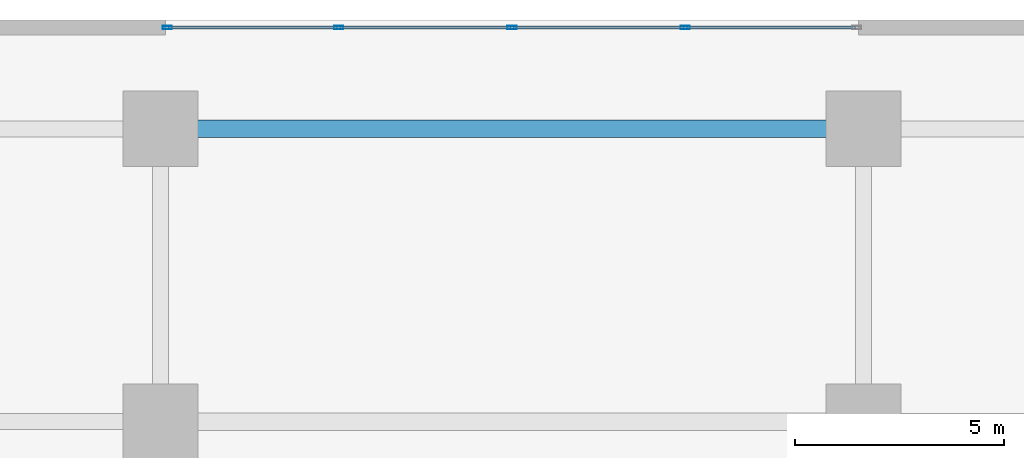
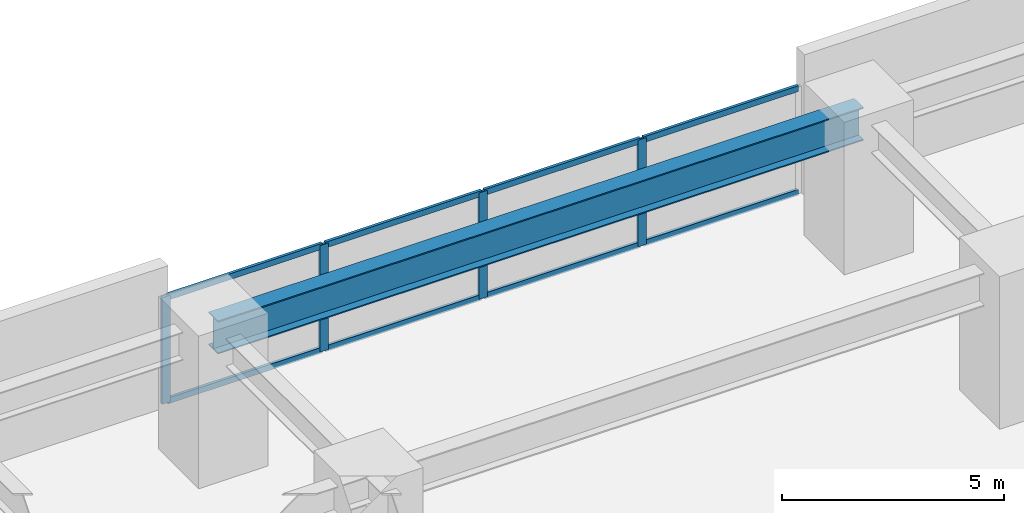
# One storey, part 7 of 22: 12 members, 1 beam, 1 element without a shape of its own.
"""IFC4 building model written with IfcOpenShell, lengths in metres."""

from ifc_helpers import new_model, si_unit, direction, frame, origin, origin_2d, place, context, subcontext, project, spatial, hollow_rectangle, i_section, extrude, material, layer, layer_set, material_profile, profile_set, type_object, element, aggregate, save


model = new_model("IFC4")

# Units and contexts
model_context = context("Model", 3, precision=1e-05, world=origin(), true_north=direction((0.0, 1.0)))
body_context = subcontext(model_context, "Body", "Model", "MODEL_VIEW")
ifc_project = project(units=[si_unit("LENGTHUNIT", "METRE"), si_unit("AREAUNIT", "SQUARE_METRE"), si_unit("VOLUMEUNIT", "CUBIC_METRE"), si_unit("PLANEANGLEUNIT", "RADIAN"), si_unit("MASSUNIT", "GRAM", prefix="KILO")], contexts=[model_context])

# Site, building, storey
site_placement = place(None, origin())
site = spatial("IfcSite", under=ifc_project, at=site_placement, CompositionType="ELEMENT")
building_placement = place(site_placement, origin())
building = spatial("IfcBuilding", under=site, at=building_placement, Name="Kiyonajd Concourse Tower", CompositionType="ELEMENT")
storey_placement = place(building_placement, frame((0.0, 0.0, 8.699951171875)))
storey = spatial("IfcBuildingStorey", under=building, at=storey_placement, Name="L03", CompositionType="ELEMENT", Elevation=8.699951171875)

# Beam
ifc_material_1 = material(Name="Steel ASTM A992 Grade 50", Category="steel")
ifc_material_profile_1 = material_profile(ifc_material_1, i_section(OverallWidth=0.41796875, OverallDepth=0.912109375, WebThickness=0.019287109375, FlangeThickness=0.031982421875, at=origin_2d()), Name="W920X342")
ifc_profile_set_1 = profile_set([ifc_material_profile_1], Name="Steel ASTM A992 Grade 50")
beam_type = type_object("IfcBeamType", Name="BM-CON-920B", PredefinedType="BEAM", material=ifc_profile_set_1)
beam_placement = place(storey_placement, frame((39.60009765625, 69.39990234375, 3.424072265625), z_axis=(1.0, 0.0, 0.0), x_axis=(0.0, 1.0, 0.0)))
element("IfcBeam", 1, at=beam_placement, inside=storey, type_object=beam_type, Name="L03 Concourse Clear Span Girder", PredefinedType="BEAM", context=body_context, shape_type="SweptSolid", body=[
    extrude(i_section(OverallWidth=0.41796875, OverallDepth=0.912109375, WebThickness=0.019287109375, FlangeThickness=0.031982421875, at=origin_2d()), origin(), (0.0, 0.0, 1.0), 16.7998046875),
])

# Curtain wall, members
ifc_material_2 = material(Name="Thermally Broken Anodised Aluminium", Category="aluminium")
ifc_layer = layer(ifc_material_2, 0.179931640625)
ifc_layer_set = layer_set([ifc_layer], Name="Thermally Broken Anodised Aluminium")
curtain_wall_type = type_object("IfcCurtainWallType", Name="CW-SYS-01", PredefinedType="NOTDEFINED", material=ifc_layer_set)
curtain_wall_placement = place(storey_placement, origin())
curtain_wall = element("IfcCurtainWall", 2, at=curtain_wall_placement, inside=storey, type_object=curtain_wall_type, Name="L03 Unitised Curtain Wall CW1", PredefinedType="NOTDEFINED")
ifc_material_profile_2 = material_profile(ifc_material_2, hollow_rectangle(XDim=0.074951171875, YDim=0.219970703125, WallThickness=0.0048828125, at=origin_2d()), Name="MULL-75x220")
ifc_profile_set_2 = profile_set([ifc_material_profile_2], Name="Thermally Broken Anodised Aluminium")
member_type_1 = type_object("IfcMemberType", Name="MB-CW-MULL2", PredefinedType="MULLION", material=ifc_profile_set_2)
member_1_placement = place(storey_placement, frame((39.757568359375, 71.820068359375, 0.0), z_axis=(0.0, 0.0, 1.0), x_axis=(0.0, 1.0, 0.0)))
member_1 = element("IfcMember", 3, at=member_1_placement, type_object=member_type_1, Name="CW1 mullion 1", PredefinedType="MULLION", context=body_context, shape_type="SweptSolid", body=[
    extrude(hollow_rectangle(XDim=0.074951171875, YDim=0.219970703125, WallThickness=0.0048828125, at=origin_2d()), origin(), (0.0, 0.0, 1.0), 2.929931640625),
])
member_2_placement = place(storey_placement, frame((43.860107421875, 71.820068359375, 0.0), z_axis=(0.0, 0.0, 1.0), x_axis=(0.0, 1.0, 0.0)))
member_2 = element("IfcMember", 4, at=member_2_placement, type_object=member_type_1, Name="CW1 mullion 2", PredefinedType="MULLION", context=body_context, shape_type="SweptSolid", body=[
    extrude(hollow_rectangle(XDim=0.074951171875, YDim=0.219970703125, WallThickness=0.0048828125, at=origin_2d()), origin(), (0.0, 0.0, 1.0), 2.929931640625),
])
member_3_placement = place(storey_placement, frame((48.0, 71.820068359375, 0.0), z_axis=(0.0, 0.0, 1.0), x_axis=(0.0, 1.0, 0.0)))
member_3 = element("IfcMember", 5, at=member_3_placement, type_object=member_type_1, Name="CW1 mullion 3", PredefinedType="MULLION", context=body_context, shape_type="SweptSolid", body=[
    extrude(hollow_rectangle(XDim=0.074951171875, YDim=0.219970703125, WallThickness=0.0048828125, at=origin_2d()), origin(), (0.0, 0.0, 1.0), 2.929931640625),
])
member_4_placement = place(storey_placement, frame((52.139892578125, 71.820068359375, 0.0), z_axis=(0.0, 0.0, 1.0), x_axis=(0.0, 1.0, 0.0)))
member_4 = element("IfcMember", 6, at=member_4_placement, type_object=member_type_1, Name="CW1 mullion 4", PredefinedType="MULLION", context=body_context, shape_type="SweptSolid", body=[
    extrude(hollow_rectangle(XDim=0.074951171875, YDim=0.219970703125, WallThickness=0.0048828125, at=origin_2d()), origin(), (0.0, 0.0, 1.0), 2.929931640625),
])
ifc_material_profile_3 = material_profile(ifc_material_2, hollow_rectangle(XDim=0.074951171875, YDim=0.159912109375, WallThickness=0.0048828125, at=origin_2d()), Name="TRAN-75x160")
ifc_profile_set_3 = profile_set([ifc_material_profile_3], Name="Thermally Broken Anodised Aluminium")
member_type_2 = type_object("IfcMemberType", Name="MB-CW-TRAN2", PredefinedType="USERDEFINED", material=ifc_profile_set_3)
member_5_placement = place(storey_placement, frame((39.794921875, 71.820068359375, 0.03759765625), z_axis=(1.0, 0.0, 0.0), x_axis=(0.0, 1.0, 0.0)))
member_5 = element("IfcMember", 7, at=member_5_placement, type_object=member_type_2, Name="CW1 transom 1.1", ObjectType="TRANSOM", PredefinedType="USERDEFINED", context=body_context, shape_type="SweptSolid", body=[
    extrude(hollow_rectangle(XDim=0.074951171875, YDim=0.159912109375, WallThickness=0.0048828125, at=origin_2d()), origin(), (0.0, 0.0, 1.0), 4.027587890625),
])
member_6_placement = place(storey_placement, frame((39.794921875, 71.820068359375, 2.892578125), z_axis=(1.0, 0.0, 0.0), x_axis=(0.0, 1.0, 0.0)))
member_6 = element("IfcMember", 8, at=member_6_placement, type_object=member_type_2, Name="CW1 transom 1.2", ObjectType="TRANSOM", PredefinedType="USERDEFINED", context=body_context, shape_type="SweptSolid", body=[
    extrude(hollow_rectangle(XDim=0.074951171875, YDim=0.159912109375, WallThickness=0.0048828125, at=origin_2d()), origin(), (0.0, 0.0, 1.0), 4.027587890625),
])
member_7_placement = place(storey_placement, frame((43.8974609375, 71.820068359375, 0.03759765625), z_axis=(1.0, 0.0, 0.0), x_axis=(0.0, 1.0, 0.0)))
member_7 = element("IfcMember", 9, at=member_7_placement, type_object=member_type_2, Name="CW1 transom 2.1", ObjectType="TRANSOM", PredefinedType="USERDEFINED", context=body_context, shape_type="SweptSolid", body=[
    extrude(hollow_rectangle(XDim=0.074951171875, YDim=0.159912109375, WallThickness=0.0048828125, at=origin_2d()), origin(), (0.0, 0.0, 1.0), 4.06494140625),
])
member_8_placement = place(storey_placement, frame((43.8974609375, 71.820068359375, 2.892578125), z_axis=(1.0, 0.0, 0.0), x_axis=(0.0, 1.0, 0.0)))
member_8 = element("IfcMember", 10, at=member_8_placement, type_object=member_type_2, Name="CW1 transom 2.2", ObjectType="TRANSOM", PredefinedType="USERDEFINED", context=body_context, shape_type="SweptSolid", body=[
    extrude(hollow_rectangle(XDim=0.074951171875, YDim=0.159912109375, WallThickness=0.0048828125, at=origin_2d()), origin(), (0.0, 0.0, 1.0), 4.06494140625),
])
member_9_placement = place(storey_placement, frame((48.03759765625, 71.820068359375, 0.03759765625), z_axis=(1.0, 0.0, 0.0), x_axis=(0.0, 1.0, 0.0)))
member_9 = element("IfcMember", 11, at=member_9_placement, type_object=member_type_2, Name="CW1 transom 3.1", ObjectType="TRANSOM", PredefinedType="USERDEFINED", context=body_context, shape_type="SweptSolid", body=[
    extrude(hollow_rectangle(XDim=0.074951171875, YDim=0.159912109375, WallThickness=0.0048828125, at=origin_2d()), origin(), (0.0, 0.0, 1.0), 4.06494140625),
])
member_10_placement = place(storey_placement, frame((48.03759765625, 71.820068359375, 2.892578125), z_axis=(1.0, 0.0, 0.0), x_axis=(0.0, 1.0, 0.0)))
member_10 = element("IfcMember", 12, at=member_10_placement, type_object=member_type_2, Name="CW1 transom 3.2", ObjectType="TRANSOM", PredefinedType="USERDEFINED", context=body_context, shape_type="SweptSolid", body=[
    extrude(hollow_rectangle(XDim=0.074951171875, YDim=0.159912109375, WallThickness=0.0048828125, at=origin_2d()), origin(), (0.0, 0.0, 1.0), 4.06494140625),
])
member_11_placement = place(storey_placement, frame((52.177490234375, 71.820068359375, 0.03759765625), z_axis=(1.0, 0.0, 0.0), x_axis=(0.0, 1.0, 0.0)))
member_11 = element("IfcMember", 13, at=member_11_placement, type_object=member_type_2, Name="CW1 transom 4.1", ObjectType="TRANSOM", PredefinedType="USERDEFINED", context=body_context, shape_type="SweptSolid", body=[
    extrude(hollow_rectangle(XDim=0.074951171875, YDim=0.159912109375, WallThickness=0.0048828125, at=origin_2d()), origin(), (0.0, 0.0, 1.0), 4.027587890625),
])
member_12_placement = place(storey_placement, frame((52.177490234375, 71.820068359375, 2.892578125), z_axis=(1.0, 0.0, 0.0), x_axis=(0.0, 1.0, 0.0)))
member_12 = element("IfcMember", 14, at=member_12_placement, type_object=member_type_2, Name="CW1 transom 4.2", ObjectType="TRANSOM", PredefinedType="USERDEFINED", context=body_context, shape_type="SweptSolid", body=[
    extrude(hollow_rectangle(XDim=0.074951171875, YDim=0.159912109375, WallThickness=0.0048828125, at=origin_2d()), origin(), (0.0, 0.0, 1.0), 4.027587890625),
])
aggregate(curtain_wall, [member_1, member_2, member_3, member_4, member_5, member_6, member_7, member_8, member_9, member_10, member_11, member_12])

save(model, "model.ifc")
